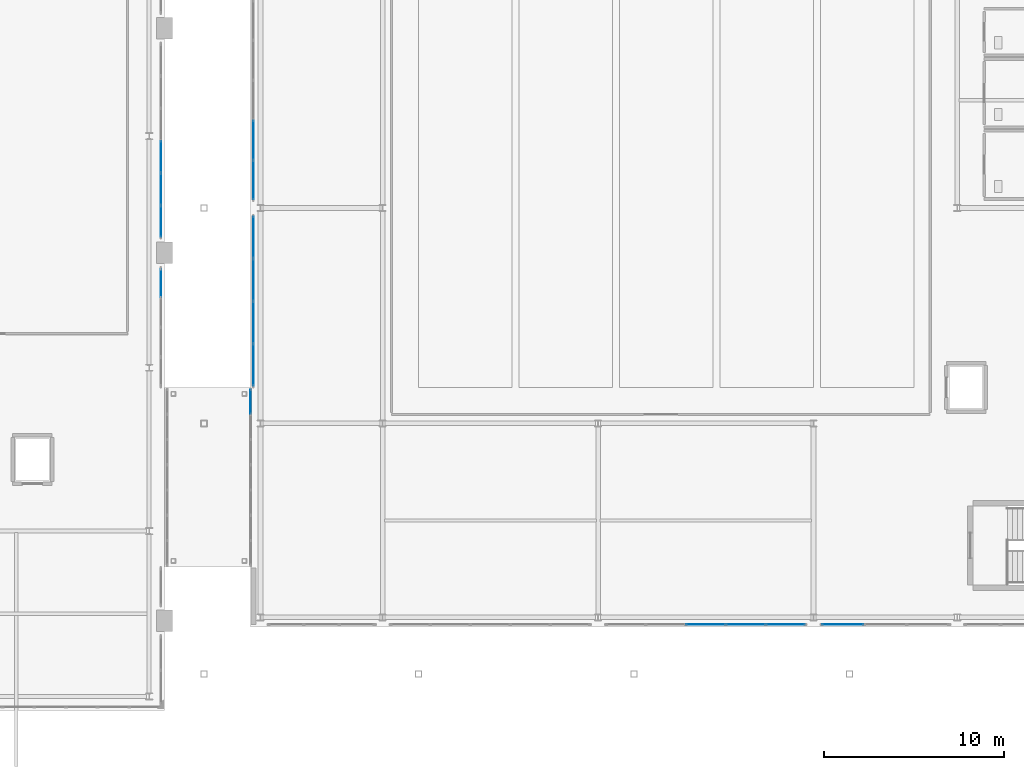
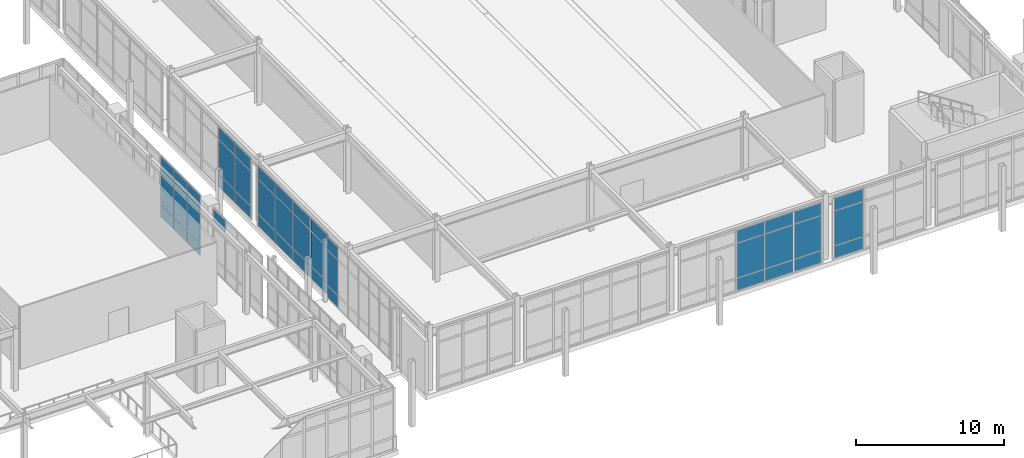
# One storey, part 111 of 159: 43 plates, 7 elements without a shape of their own.
"""IFC4 building model written with IfcOpenShell, lengths in metres."""

from ifc_helpers import new_model, si_unit, derived_unit, direction, frame, origin, origin_2d, place, context, subcontext, project, spatial, rectangle, extrude, material, layer, layer_set, type_object, element, aggregate, save


model = new_model("IFC4")

# Units and contexts
model_context = context("Model", 3, precision=1e-05, world=origin(), true_north=direction((0.0, 1.0)))
body_context = subcontext(model_context, "Body", "Model", "MODEL_VIEW")
ifc_project = project(units=[si_unit("LENGTHUNIT", "METRE"), si_unit("AREAUNIT", "SQUARE_METRE"), si_unit("VOLUMEUNIT", "CUBIC_METRE"), si_unit("PLANEANGLEUNIT", "RADIAN"), si_unit("MASSUNIT", "GRAM", prefix="KILO"), derived_unit("THERMALTRANSMITTANCEUNIT", [(si_unit("MASSUNIT", "GRAM", prefix="KILO"), 1), (si_unit("TIMEUNIT", "SECOND"), -3), (si_unit("THERMODYNAMICTEMPERATUREUNIT", "KELVIN"), -1)])], contexts=[model_context])

# Site, building, storey
site_placement = place(None, origin())
site = spatial("IfcSite", under=ifc_project, at=site_placement, CompositionType="ELEMENT")
building_placement = place(site_placement, origin())
building = spatial("IfcBuilding", under=site, at=building_placement, Name="Valcora Ridge Arena", CompositionType="ELEMENT")
storey_placement = place(building_placement, frame((0.0, 0.0, 6.0)))
storey = spatial("IfcBuildingStorey", under=building, at=storey_placement, Name="L01", CompositionType="ELEMENT", Elevation=6.0)

# Curtain wall, plates
ifc_material_1 = material(Name="Anodised dark bronze architectural aluminium 6063-T6", Category="aluminium")
ifc_layer_1 = layer(ifc_material_1, 0.14990234375, Name="Anodised dark bronze architectural aluminium 6063-T6")
ifc_layer_set_1 = layer_set([ifc_layer_1], Name="Anodised dark bronze architectural aluminium 6063-T6")
curtain_wall_type_1 = type_object("IfcCurtainWallType", Name="TY-CURTAINWALL-CW-BRG-098X51", PredefinedType="NOTDEFINED", material=ifc_layer_set_1)
curtain_wall_1_placement = place(storey_placement, origin())
curtain_wall_1 = element("IfcCurtainWall", 1, at=curtain_wall_1_placement, inside=storey, type_object=curtain_wall_type_1, Name="CW-BRG-098X51 CW-0353", PredefinedType="NOTDEFINED")
ifc_material_2 = material(Name="Low-iron solar-control double glazing SHGC 0.28", Category="glass")
ifc_layer_2 = layer(ifc_material_2, 0.028076171875, Name="Low-iron solar-control double glazing SHGC 0.28")
ifc_layer_set_2 = layer_set([ifc_layer_2], Name="Low-iron solar-control double glazing SHGC 0.28")
plate_type_1 = type_object("IfcPlateType", Name="TY-PLT-CWP-1331X0975", PredefinedType="CURTAIN_PANEL", material=ifc_layer_set_2)
plate_1_placement = place(storey_placement, frame((136.64990234375, 17.20458984375, 0.050048828125), z_axis=(0.0, 0.0, 1.0), x_axis=(0.0, 1.0, 0.0)))
plate_1 = element("IfcPlate", 2, at=plate_1_placement, type_object=plate_type_1, Name="CW-0353/P06-00", PredefinedType="CURTAIN_PANEL", context=body_context, shape_type="SweptSolid", body=[
    extrude(rectangle(XDim=1.3310546875, YDim=0.028076171875, at=origin_2d()), origin(), (0.0, 0.0, 1.0), 0.97509765625),
])
ifc_layer_3 = layer(ifc_material_2, 0.028076171875, Name="Low-iron solar-control double glazing SHGC 0.28")
ifc_layer_set_3 = layer_set([ifc_layer_3], Name="Low-iron solar-control double glazing SHGC 0.28")
plate_type_2 = type_object("IfcPlateType", Name="TY-PLT-CWP-1331X1025", PredefinedType="CURTAIN_PANEL", material=ifc_layer_set_3)
plate_2_placement = place(storey_placement, frame((136.64990234375, 17.20458984375, 4.005126953125), z_axis=(0.0, 0.0, 1.0), x_axis=(0.0, 1.0, 0.0)))
plate_2 = element("IfcPlate", 3, at=plate_2_placement, type_object=plate_type_2, Name="CW-0353/P06-02", PredefinedType="CURTAIN_PANEL", context=body_context, shape_type="SweptSolid", body=[
    extrude(rectangle(XDim=1.3310546875, YDim=0.028076171875, at=origin_2d()), origin(), (0.0, 0.0, 1.0), 1.02490234375),
])
ifc_layer_4 = layer(ifc_material_2, 0.028076171875, Name="Low-iron solar-control double glazing SHGC 0.28")
ifc_layer_set_4 = layer_set([ifc_layer_4], Name="Low-iron solar-control double glazing SHGC 0.28")
plate_type_3 = type_object("IfcPlateType", Name="TY-PLT-CWP-1331X2880", PredefinedType="CURTAIN_PANEL", material=ifc_layer_set_4)
plate_3_placement = place(storey_placement, frame((136.64990234375, 17.20458984375, 1.074951171875), z_axis=(0.0, 0.0, 1.0), x_axis=(0.0, 1.0, 0.0)))
plate_3 = element("IfcPlate", 4, at=plate_3_placement, type_object=plate_type_3, Name="CW-0353/P06-01", PredefinedType="CURTAIN_PANEL", context=body_context, shape_type="SweptSolid", body=[
    extrude(rectangle(XDim=1.3310546875, YDim=0.028076171875, at=origin_2d()), origin(), (0.0, 0.0, 1.0), 2.8798828125),
])
aggregate(curtain_wall_1, [plate_1, plate_3, plate_2])

# Curtain wall, plate
ifc_layer_5 = layer(ifc_material_1, 0.179931640625, Name="Anodised dark bronze architectural aluminium 6063-T6")
ifc_layer_set_5 = layer_set([ifc_layer_5], Name="Anodised dark bronze architectural aluminium 6063-T6")
curtain_wall_type_2 = type_object("IfcCurtainWallType", Name="TY-CURTAINWALL-CW-V3-LANCET-066X51", PredefinedType="NOTDEFINED", material=ifc_layer_set_5)
curtain_wall_2_placement = place(storey_placement, origin())
curtain_wall_2 = element("IfcCurtainWall", 5, at=curtain_wall_2_placement, inside=storey, type_object=curtain_wall_type_2, Name="CW-V3-LANCET-066X51 CW-0014", PredefinedType="NOTDEFINED")
ifc_layer_6 = layer(ifc_material_2, 0.031982421875, Name="Low-iron solar-control double glazing SHGC 0.28")
ifc_layer_set_6 = layer_set([ifc_layer_6], Name="Low-iron solar-control double glazing SHGC 0.28")
plate_type_4 = type_object("IfcPlateType", Name="TY-PLT-CWP-1562X1010", PredefinedType="CURTAIN_PANEL", material=ifc_layer_set_6)
plate_4_placement = place(storey_placement, frame((131.64990234375, 23.819091796875, 4.02978515625), z_axis=(0.0, 0.0, 1.0), x_axis=(0.0, 1.0, 0.0)))
plate_4 = element("IfcPlate", 6, at=plate_4_placement, type_object=plate_type_4, Name="CW-0014/P03-02", PredefinedType="CURTAIN_PANEL", context=body_context, shape_type="SweptSolid", body=[
    extrude(rectangle(XDim=1.56201171875, YDim=0.031982421875, at=origin_2d()), origin(), (0.0, 0.0, 1.0), 1.010009765625),
])
aggregate(curtain_wall_2, [plate_4])

# Curtain wall, plates
ifc_layer_7 = layer(ifc_material_1, 0.179931640625, Name="Anodised dark bronze architectural aluminium 6063-T6")
ifc_layer_set_7 = layer_set([ifc_layer_7], Name="Anodised dark bronze architectural aluminium 6063-T6")
curtain_wall_type_3 = type_object("IfcCurtainWallType", Name="TY-CURTAINWALL-CW-V3-LANCET-108X51", PredefinedType="NOTDEFINED", material=ifc_layer_set_7)
curtain_wall_3_placement = place(storey_placement, origin())
curtain_wall_3 = element("IfcCurtainWall", 7, at=curtain_wall_3_placement, inside=storey, type_object=curtain_wall_type_3, Name="CW-V3-LANCET-108X51 CW-0015", PredefinedType="NOTDEFINED")
ifc_layer_8 = layer(ifc_material_2, 0.031982421875, Name="Low-iron solar-control double glazing SHGC 0.28")
ifc_layer_set_8 = layer_set([ifc_layer_8], Name="Low-iron solar-control double glazing SHGC 0.28")
plate_type_5 = type_object("IfcPlateType", Name="TY-PLT-CWP-1713X0960", PredefinedType="CURTAIN_PANEL", material=ifc_layer_set_8)
plate_5_placement = place(storey_placement, frame((131.64990234375, 27.256591796875, 0.06005859375), z_axis=(0.0, 0.0, 1.0), x_axis=(0.0, 1.0, 0.0)))
plate_5 = element("IfcPlate", 8, at=plate_5_placement, type_object=plate_type_5, Name="CW-0015/P00-00", PredefinedType="CURTAIN_PANEL", context=body_context, shape_type="SweptSolid", body=[
    extrude(rectangle(XDim=1.712890625, YDim=0.031982421875, at=origin_2d()), origin(), (0.0, 0.0, 1.0), 0.9599609375),
])
ifc_layer_9 = layer(ifc_material_2, 0.031982421875, Name="Low-iron solar-control double glazing SHGC 0.28")
ifc_layer_set_9 = layer_set([ifc_layer_9], Name="Low-iron solar-control double glazing SHGC 0.28")
plate_type_6 = type_object("IfcPlateType", Name="TY-PLT-CWP-1713X1010", PredefinedType="CURTAIN_PANEL", material=ifc_layer_set_9)
plate_6_placement = place(storey_placement, frame((131.64990234375, 27.256591796875, 4.02978515625), z_axis=(0.0, 0.0, 1.0), x_axis=(0.0, 1.0, 0.0)))
plate_6 = element("IfcPlate", 9, at=plate_6_placement, type_object=plate_type_6, Name="CW-0015/P00-02", PredefinedType="CURTAIN_PANEL", context=body_context, shape_type="SweptSolid", body=[
    extrude(rectangle(XDim=1.712890625, YDim=0.031982421875, at=origin_2d()), origin(), (0.0, 0.0, 1.0), 1.010009765625),
])
ifc_layer_10 = layer(ifc_material_2, 0.031982421875, Name="Low-iron solar-control double glazing SHGC 0.28")
ifc_layer_set_10 = layer_set([ifc_layer_10], Name="Low-iron solar-control double glazing SHGC 0.28")
plate_type_7 = type_object("IfcPlateType", Name="TY-PLT-CWP-1713X2890", PredefinedType="CURTAIN_PANEL", material=ifc_layer_set_10)
plate_7_placement = place(storey_placement, frame((131.64990234375, 27.256591796875, 1.080078125), z_axis=(0.0, 0.0, 1.0), x_axis=(0.0, 1.0, 0.0)))
plate_7 = element("IfcPlate", 10, at=plate_7_placement, type_object=plate_type_7, Name="CW-0015/P00-01", PredefinedType="CURTAIN_PANEL", context=body_context, shape_type="SweptSolid", body=[
    extrude(rectangle(XDim=1.712890625, YDim=0.031982421875, at=origin_2d()), origin(), (0.0, 0.0, 1.0), 2.889892578125),
])
ifc_layer_11 = layer(ifc_material_2, 0.031982421875, Name="Low-iron solar-control double glazing SHGC 0.28")
ifc_layer_set_11 = layer_set([ifc_layer_11], Name="Low-iron solar-control double glazing SHGC 0.28")
plate_type_8 = type_object("IfcPlateType", Name="TY-PLT-CWP-1743X0960", PredefinedType="CURTAIN_PANEL", material=ifc_layer_set_11)
plate_8_placement = place(storey_placement, frame((131.64990234375, 30.848388671875, 0.06005859375), z_axis=(0.0, 0.0, 1.0), x_axis=(0.0, 1.0, 0.0)))
plate_8 = element("IfcPlate", 11, at=plate_8_placement, type_object=plate_type_8, Name="CW-0015/P02-00", PredefinedType="CURTAIN_PANEL", context=body_context, shape_type="SweptSolid", body=[
    extrude(rectangle(XDim=1.742919921875, YDim=0.031982421875, at=origin_2d()), origin(), (0.0, 0.0, 1.0), 0.9599609375),
])
ifc_layer_12 = layer(ifc_material_2, 0.031982421875, Name="Low-iron solar-control double glazing SHGC 0.28")
ifc_layer_set_12 = layer_set([ifc_layer_12], Name="Low-iron solar-control double glazing SHGC 0.28")
plate_type_9 = type_object("IfcPlateType", Name="TY-PLT-CWP-1743X1010", PredefinedType="CURTAIN_PANEL", material=ifc_layer_set_12)
plate_9_placement = place(storey_placement, frame((131.64990234375, 30.848388671875, 4.02978515625), z_axis=(0.0, 0.0, 1.0), x_axis=(0.0, 1.0, 0.0)))
plate_9 = element("IfcPlate", 12, at=plate_9_placement, type_object=plate_type_9, Name="CW-0015/P02-02", PredefinedType="CURTAIN_PANEL", context=body_context, shape_type="SweptSolid", body=[
    extrude(rectangle(XDim=1.742919921875, YDim=0.031982421875, at=origin_2d()), origin(), (0.0, 0.0, 1.0), 1.010009765625),
])
ifc_layer_13 = layer(ifc_material_2, 0.031982421875, Name="Low-iron solar-control double glazing SHGC 0.28")
ifc_layer_set_13 = layer_set([ifc_layer_13], Name="Low-iron solar-control double glazing SHGC 0.28")
plate_type_10 = type_object("IfcPlateType", Name="TY-PLT-CWP-1743X2890", PredefinedType="CURTAIN_PANEL", material=ifc_layer_set_13)
plate_10_placement = place(storey_placement, frame((131.64990234375, 30.848388671875, 1.080078125), z_axis=(0.0, 0.0, 1.0), x_axis=(0.0, 1.0, 0.0)))
plate_10 = element("IfcPlate", 13, at=plate_10_placement, type_object=plate_type_10, Name="CW-0015/P02-01", PredefinedType="CURTAIN_PANEL", context=body_context, shape_type="SweptSolid", body=[
    extrude(rectangle(XDim=1.742919921875, YDim=0.031982421875, at=origin_2d()), origin(), (0.0, 0.0, 1.0), 2.889892578125),
])
ifc_layer_14 = layer(ifc_material_2, 0.031982421875, Name="Low-iron solar-control double glazing SHGC 0.28")
ifc_layer_set_14 = layer_set([ifc_layer_14], Name="Low-iron solar-control double glazing SHGC 0.28")
plate_type_11 = type_object("IfcPlateType", Name="TY-PLT-CWP-1744X0960", PredefinedType="CURTAIN_PANEL", material=ifc_layer_set_14)
plate_11_placement = place(storey_placement, frame((131.64990234375, 29.044921875, 0.06005859375), z_axis=(0.0, 0.0, 1.0), x_axis=(0.0, 1.0, 0.0)))
plate_11 = element("IfcPlate", 14, at=plate_11_placement, type_object=plate_type_11, Name="CW-0015/P01-00", PredefinedType="CURTAIN_PANEL", context=body_context, shape_type="SweptSolid", body=[
    extrude(rectangle(XDim=1.743896484375, YDim=0.031982421875, at=origin_2d()), origin(), (0.0, 0.0, 1.0), 0.9599609375),
])
ifc_layer_15 = layer(ifc_material_2, 0.031982421875, Name="Low-iron solar-control double glazing SHGC 0.28")
ifc_layer_set_15 = layer_set([ifc_layer_15], Name="Low-iron solar-control double glazing SHGC 0.28")
plate_type_12 = type_object("IfcPlateType", Name="TY-PLT-CWP-1744X1010", PredefinedType="CURTAIN_PANEL", material=ifc_layer_set_15)
plate_12_placement = place(storey_placement, frame((131.64990234375, 29.044921875, 4.02978515625), z_axis=(0.0, 0.0, 1.0), x_axis=(0.0, 1.0, 0.0)))
plate_12 = element("IfcPlate", 15, at=plate_12_placement, type_object=plate_type_12, Name="CW-0015/P01-02", PredefinedType="CURTAIN_PANEL", context=body_context, shape_type="SweptSolid", body=[
    extrude(rectangle(XDim=1.743896484375, YDim=0.031982421875, at=origin_2d()), origin(), (0.0, 0.0, 1.0), 1.010009765625),
])
ifc_layer_16 = layer(ifc_material_2, 0.031982421875, Name="Low-iron solar-control double glazing SHGC 0.28")
ifc_layer_set_16 = layer_set([ifc_layer_16], Name="Low-iron solar-control double glazing SHGC 0.28")
plate_type_13 = type_object("IfcPlateType", Name="TY-PLT-CWP-1744X2890", PredefinedType="CURTAIN_PANEL", material=ifc_layer_set_16)
plate_13_placement = place(storey_placement, frame((131.64990234375, 29.044921875, 1.080078125), z_axis=(0.0, 0.0, 1.0), x_axis=(0.0, 1.0, 0.0)))
plate_13 = element("IfcPlate", 16, at=plate_13_placement, type_object=plate_type_13, Name="CW-0015/P01-01", PredefinedType="CURTAIN_PANEL", context=body_context, shape_type="SweptSolid", body=[
    extrude(rectangle(XDim=1.743896484375, YDim=0.031982421875, at=origin_2d()), origin(), (0.0, 0.0, 1.0), 2.889892578125),
])
aggregate(curtain_wall_3, [plate_5, plate_7, plate_6, plate_11, plate_13, plate_12, plate_8, plate_10, plate_9])

# Curtain wall, plate
ifc_layer_17 = layer(ifc_material_1, 0.179931640625, Name="Anodised dark bronze architectural aluminium 6063-T6")
ifc_layer_set_17 = layer_set([ifc_layer_17], Name="Anodised dark bronze architectural aluminium 6063-T6")
curtain_wall_type_4 = type_object("IfcCurtainWallType", Name="TY-CURTAINWALL-CW-V2-GLAZ-111X50", PredefinedType="NOTDEFINED", material=ifc_layer_set_17)
curtain_wall_4_placement = place(storey_placement, origin())
curtain_wall_4 = element("IfcCurtainWall", 17, at=curtain_wall_4_placement, inside=storey, type_object=curtain_wall_type_4, Name="CW-V2-GLAZ-111X50 CW-0040", PredefinedType="NOTDEFINED")
ifc_layer_18 = layer(ifc_material_2, 0.028076171875, Name="Low-iron solar-control double glazing SHGC 0.28")
ifc_layer_set_18 = layer_set([ifc_layer_18], Name="Low-iron solar-control double glazing SHGC 0.28")
plate_type_14 = type_object("IfcPlateType", Name="TY-PLT-CWP-2139X0975", PredefinedType="CURTAIN_PANEL", material=ifc_layer_set_18)
plate_14_placement = place(storey_placement, frame((136.800048828125, 29.555908203125, 0.050048828125), z_axis=(0.0, 0.0, 1.0), x_axis=(0.0, 1.0, 0.0)))
plate_14 = element("IfcPlate", 18, at=plate_14_placement, type_object=plate_type_14, Name="CW-0040/P00-00", PredefinedType="CURTAIN_PANEL", context=body_context, shape_type="SweptSolid", body=[
    extrude(rectangle(XDim=2.138916015625, YDim=0.028076171875, at=origin_2d()), origin(), (0.0, 0.0, 1.0), 0.97509765625),
])

curtain_wall_5_placement = place(storey_placement, origin())
curtain_wall_5 = element("IfcCurtainWall", 19, at=curtain_wall_5_placement, inside=storey, type_object=curtain_wall_type_4, Name="CW-V2-GLAZ-111X50 CW-0046", PredefinedType="NOTDEFINED")
plate_15_placement = place(storey_placement, frame((166.443603515625, 4.800048828125, 0.050048828125), z_axis=(0.0, 0.0, 1.0), x_axis=(1.0, 0.0, 0.0)))
plate_15 = element("IfcPlate", 20, at=plate_15_placement, type_object=plate_type_14, Name="CW-0046/P04-00", PredefinedType="CURTAIN_PANEL", context=body_context, shape_type="SweptSolid", body=[
    extrude(rectangle(XDim=2.138916015625, YDim=0.028076171875, at=origin_2d()), origin(), (0.0, 0.0, 1.0), 0.97509765625),
])

# Plate
ifc_layer_19 = layer(ifc_material_2, 0.028076171875, Name="Low-iron solar-control double glazing SHGC 0.28")
ifc_layer_set_19 = layer_set([ifc_layer_19], Name="Low-iron solar-control double glazing SHGC 0.28")
plate_type_15 = type_object("IfcPlateType", Name="TY-PLT-CWP-2139X1025", PredefinedType="CURTAIN_PANEL", material=ifc_layer_set_19)
plate_16_placement = place(storey_placement, frame((136.800048828125, 29.555908203125, 3.965087890625), z_axis=(0.0, 0.0, 1.0), x_axis=(0.0, 1.0, 0.0)))
plate_16 = element("IfcPlate", 21, at=plate_16_placement, type_object=plate_type_15, Name="CW-0040/P00-02", PredefinedType="CURTAIN_PANEL", context=body_context, shape_type="SweptSolid", body=[
    extrude(rectangle(XDim=2.138916015625, YDim=0.028076171875, at=origin_2d()), origin(), (0.0, 0.0, 1.0), 1.02490234375),
])

plate_17_placement = place(storey_placement, frame((166.443603515625, 4.800048828125, 3.965087890625), z_axis=(0.0, 0.0, 1.0), x_axis=(1.0, 0.0, 0.0)))
plate_17 = element("IfcPlate", 22, at=plate_17_placement, type_object=plate_type_15, Name="CW-0046/P04-02", PredefinedType="CURTAIN_PANEL", context=body_context, shape_type="SweptSolid", body=[
    extrude(rectangle(XDim=2.138916015625, YDim=0.028076171875, at=origin_2d()), origin(), (0.0, 0.0, 1.0), 1.02490234375),
])

ifc_layer_20 = layer(ifc_material_2, 0.028076171875, Name="Low-iron solar-control double glazing SHGC 0.28")
ifc_layer_set_20 = layer_set([ifc_layer_20], Name="Low-iron solar-control double glazing SHGC 0.28")
plate_type_16 = type_object("IfcPlateType", Name="TY-PLT-CWP-2139X2840", PredefinedType="CURTAIN_PANEL", material=ifc_layer_set_20)
plate_18_placement = place(storey_placement, frame((136.800048828125, 29.555908203125, 1.0751953125), z_axis=(0.0, 0.0, 1.0), x_axis=(0.0, 1.0, 0.0)))
plate_18 = element("IfcPlate", 23, at=plate_18_placement, type_object=plate_type_16, Name="CW-0040/P00-01", PredefinedType="CURTAIN_PANEL", context=body_context, shape_type="SweptSolid", body=[
    extrude(rectangle(XDim=2.138916015625, YDim=0.028076171875, at=origin_2d()), origin(), (0.0, 0.0, 1.0), 2.840087890625),
])

plate_19_placement = place(storey_placement, frame((166.443603515625, 4.800048828125, 1.0751953125), z_axis=(0.0, 0.0, 1.0), x_axis=(1.0, 0.0, 0.0)))
plate_19 = element("IfcPlate", 24, at=plate_19_placement, type_object=plate_type_16, Name="CW-0046/P04-01", PredefinedType="CURTAIN_PANEL", context=body_context, shape_type="SweptSolid", body=[
    extrude(rectangle(XDim=2.138916015625, YDim=0.028076171875, at=origin_2d()), origin(), (0.0, 0.0, 1.0), 2.840087890625),
])

ifc_layer_21 = layer(ifc_material_2, 0.028076171875, Name="Low-iron solar-control double glazing SHGC 0.28")
ifc_layer_set_21 = layer_set([ifc_layer_21], Name="Low-iron solar-control double glazing SHGC 0.28")
plate_type_17 = type_object("IfcPlateType", Name="TY-PLT-CWP-2169X0975", PredefinedType="CURTAIN_PANEL", material=ifc_layer_set_21)
plate_20_placement = place(storey_placement, frame((164.2294921875, 4.800048828125, 0.050048828125), z_axis=(0.0, 0.0, 1.0), x_axis=(1.0, 0.0, 0.0)))
plate_20 = element("IfcPlate", 25, at=plate_20_placement, type_object=plate_type_17, Name="CW-0046/P03-00", PredefinedType="CURTAIN_PANEL", context=body_context, shape_type="SweptSolid", body=[
    extrude(rectangle(XDim=2.1689453125, YDim=0.028076171875, at=origin_2d()), origin(), (0.0, 0.0, 1.0), 0.97509765625),
])

ifc_layer_22 = layer(ifc_material_2, 0.028076171875, Name="Low-iron solar-control double glazing SHGC 0.28")
ifc_layer_set_22 = layer_set([ifc_layer_22], Name="Low-iron solar-control double glazing SHGC 0.28")
plate_type_18 = type_object("IfcPlateType", Name="TY-PLT-CWP-2169X1025", PredefinedType="CURTAIN_PANEL", material=ifc_layer_set_22)
plate_21_placement = place(storey_placement, frame((164.2294921875, 4.800048828125, 3.965087890625), z_axis=(0.0, 0.0, 1.0), x_axis=(1.0, 0.0, 0.0)))
plate_21 = element("IfcPlate", 26, at=plate_21_placement, type_object=plate_type_18, Name="CW-0046/P03-02", PredefinedType="CURTAIN_PANEL", context=body_context, shape_type="SweptSolid", body=[
    extrude(rectangle(XDim=2.1689453125, YDim=0.028076171875, at=origin_2d()), origin(), (0.0, 0.0, 1.0), 1.02490234375),
])

ifc_layer_23 = layer(ifc_material_2, 0.028076171875, Name="Low-iron solar-control double glazing SHGC 0.28")
ifc_layer_set_23 = layer_set([ifc_layer_23], Name="Low-iron solar-control double glazing SHGC 0.28")
plate_type_19 = type_object("IfcPlateType", Name="TY-PLT-CWP-2169X2840", PredefinedType="CURTAIN_PANEL", material=ifc_layer_set_23)
plate_22_placement = place(storey_placement, frame((164.2294921875, 4.800048828125, 1.0751953125), z_axis=(0.0, 0.0, 1.0), x_axis=(1.0, 0.0, 0.0)))
plate_22 = element("IfcPlate", 27, at=plate_22_placement, type_object=plate_type_19, Name="CW-0046/P03-01", PredefinedType="CURTAIN_PANEL", context=body_context, shape_type="SweptSolid", body=[
    extrude(rectangle(XDim=2.1689453125, YDim=0.028076171875, at=origin_2d()), origin(), (0.0, 0.0, 1.0), 2.840087890625),
])

ifc_layer_24 = layer(ifc_material_2, 0.028076171875, Name="Low-iron solar-control double glazing SHGC 0.28")
ifc_layer_set_24 = layer_set([ifc_layer_24], Name="Low-iron solar-control double glazing SHGC 0.28")
plate_type_20 = type_object("IfcPlateType", Name="TY-PLT-CWP-2170X0975", PredefinedType="CURTAIN_PANEL", material=ifc_layer_set_24)
plate_23_placement = place(storey_placement, frame((136.800048828125, 31.7705078125, 0.050048828125), z_axis=(0.0, 0.0, 1.0), x_axis=(0.0, 1.0, 0.0)))
plate_23 = element("IfcPlate", 28, at=plate_23_placement, type_object=plate_type_20, Name="CW-0040/P01-00", PredefinedType="CURTAIN_PANEL", context=body_context, shape_type="SweptSolid", body=[
    extrude(rectangle(XDim=2.169921875, YDim=0.028076171875, at=origin_2d()), origin(), (0.0, 0.0, 1.0), 0.97509765625),
])

plate_24_placement = place(storey_placement, frame((162.0, 4.800048828125, 0.050048828125), z_axis=(0.0, 0.0, 1.0), x_axis=(1.0, 0.0, 0.0)))
plate_24 = element("IfcPlate", 29, at=plate_24_placement, type_object=plate_type_20, Name="CW-0046/P02-00", PredefinedType="CURTAIN_PANEL", context=body_context, shape_type="SweptSolid", body=[
    extrude(rectangle(XDim=2.169921875, YDim=0.028076171875, at=origin_2d()), origin(), (0.0, 0.0, 1.0), 0.97509765625),
])

ifc_layer_25 = layer(ifc_material_2, 0.028076171875, Name="Low-iron solar-control double glazing SHGC 0.28")
ifc_layer_set_25 = layer_set([ifc_layer_25], Name="Low-iron solar-control double glazing SHGC 0.28")
plate_type_21 = type_object("IfcPlateType", Name="TY-PLT-CWP-2170X1025", PredefinedType="CURTAIN_PANEL", material=ifc_layer_set_25)
plate_25_placement = place(storey_placement, frame((136.800048828125, 31.7705078125, 3.965087890625), z_axis=(0.0, 0.0, 1.0), x_axis=(0.0, 1.0, 0.0)))
plate_25 = element("IfcPlate", 30, at=plate_25_placement, type_object=plate_type_21, Name="CW-0040/P01-02", PredefinedType="CURTAIN_PANEL", context=body_context, shape_type="SweptSolid", body=[
    extrude(rectangle(XDim=2.169921875, YDim=0.028076171875, at=origin_2d()), origin(), (0.0, 0.0, 1.0), 1.02490234375),
])

plate_26_placement = place(storey_placement, frame((162.0, 4.800048828125, 3.965087890625), z_axis=(0.0, 0.0, 1.0), x_axis=(1.0, 0.0, 0.0)))
plate_26 = element("IfcPlate", 31, at=plate_26_placement, type_object=plate_type_21, Name="CW-0046/P02-02", PredefinedType="CURTAIN_PANEL", context=body_context, shape_type="SweptSolid", body=[
    extrude(rectangle(XDim=2.169921875, YDim=0.028076171875, at=origin_2d()), origin(), (0.0, 0.0, 1.0), 1.02490234375),
])

ifc_layer_26 = layer(ifc_material_2, 0.028076171875, Name="Low-iron solar-control double glazing SHGC 0.28")
ifc_layer_set_26 = layer_set([ifc_layer_26], Name="Low-iron solar-control double glazing SHGC 0.28")
plate_type_22 = type_object("IfcPlateType", Name="TY-PLT-CWP-2170X2840", PredefinedType="CURTAIN_PANEL", material=ifc_layer_set_26)
plate_27_placement = place(storey_placement, frame((136.800048828125, 31.7705078125, 1.0751953125), z_axis=(0.0, 0.0, 1.0), x_axis=(0.0, 1.0, 0.0)))
plate_27 = element("IfcPlate", 32, at=plate_27_placement, type_object=plate_type_22, Name="CW-0040/P01-01", PredefinedType="CURTAIN_PANEL", context=body_context, shape_type="SweptSolid", body=[
    extrude(rectangle(XDim=2.169921875, YDim=0.028076171875, at=origin_2d()), origin(), (0.0, 0.0, 1.0), 2.840087890625),
])

aggregate(curtain_wall_4, [plate_14, plate_18, plate_16, plate_23, plate_27, plate_25])

plate_28_placement = place(storey_placement, frame((162.0, 4.800048828125, 1.0751953125), z_axis=(0.0, 0.0, 1.0), x_axis=(1.0, 0.0, 0.0)))
plate_28 = element("IfcPlate", 33, at=plate_28_placement, type_object=plate_type_22, Name="CW-0046/P02-01", PredefinedType="CURTAIN_PANEL", context=body_context, shape_type="SweptSolid", body=[
    extrude(rectangle(XDim=2.169921875, YDim=0.028076171875, at=origin_2d()), origin(), (0.0, 0.0, 1.0), 2.840087890625),
])

aggregate(curtain_wall_5, [plate_24, plate_28, plate_26, plate_20, plate_22, plate_21, plate_15, plate_19, plate_17])

# Curtain wall, plates
ifc_layer_27 = layer(ifc_material_1, 0.179931640625, Name="Anodised dark bronze architectural aluminium 6063-T6")
ifc_layer_set_27 = layer_set([ifc_layer_27], Name="Anodised dark bronze architectural aluminium 6063-T6")
curtain_wall_type_5 = type_object("IfcCurtainWallType", Name="TY-CURTAINWALL-CW-V2-GLAZ-095X50", PredefinedType="NOTDEFINED", material=ifc_layer_set_27)
curtain_wall_6_placement = place(storey_placement, origin())
curtain_wall_6 = element("IfcCurtainWall", 34, at=curtain_wall_6_placement, inside=storey, type_object=curtain_wall_type_5, Name="CW-V2-GLAZ-095X50 CW-0039", PredefinedType="NOTDEFINED")
ifc_layer_28 = layer(ifc_material_2, 0.028076171875, Name="Low-iron solar-control double glazing SHGC 0.28")
ifc_layer_set_28 = layer_set([ifc_layer_28], Name="Low-iron solar-control double glazing SHGC 0.28")
plate_type_23 = type_object("IfcPlateType", Name="TY-PLT-CWP-2291X0975", PredefinedType="CURTAIN_PANEL", material=ifc_layer_set_28)
plate_29_placement = place(storey_placement, frame((136.800048828125, 19.255615234375, 0.050048828125), z_axis=(0.0, 0.0, 1.0), x_axis=(0.0, 1.0, 0.0)))
plate_29 = element("IfcPlate", 35, at=plate_29_placement, type_object=plate_type_23, Name="CW-0039/P00-00", PredefinedType="CURTAIN_PANEL", context=body_context, shape_type="SweptSolid", body=[
    extrude(rectangle(XDim=2.291015625, YDim=0.028076171875, at=origin_2d()), origin(), (0.0, 0.0, 1.0), 0.97509765625),
])
plate_30_placement = place(storey_placement, frame((136.800048828125, 26.368408203125, 0.050048828125), z_axis=(0.0, 0.0, 1.0), x_axis=(0.0, 1.0, 0.0)))
plate_30 = element("IfcPlate", 36, at=plate_30_placement, type_object=plate_type_23, Name="CW-0039/P03-00", PredefinedType="CURTAIN_PANEL", context=body_context, shape_type="SweptSolid", body=[
    extrude(rectangle(XDim=2.291015625, YDim=0.028076171875, at=origin_2d()), origin(), (0.0, 0.0, 1.0), 0.97509765625),
])
ifc_layer_29 = layer(ifc_material_2, 0.028076171875, Name="Low-iron solar-control double glazing SHGC 0.28")
ifc_layer_set_29 = layer_set([ifc_layer_29], Name="Low-iron solar-control double glazing SHGC 0.28")
plate_type_24 = type_object("IfcPlateType", Name="TY-PLT-CWP-2291X1025", PredefinedType="CURTAIN_PANEL", material=ifc_layer_set_29)
plate_31_placement = place(storey_placement, frame((136.800048828125, 19.255615234375, 3.965087890625), z_axis=(0.0, 0.0, 1.0), x_axis=(0.0, 1.0, 0.0)))
plate_31 = element("IfcPlate", 37, at=plate_31_placement, type_object=plate_type_24, Name="CW-0039/P00-02", PredefinedType="CURTAIN_PANEL", context=body_context, shape_type="SweptSolid", body=[
    extrude(rectangle(XDim=2.291015625, YDim=0.028076171875, at=origin_2d()), origin(), (0.0, 0.0, 1.0), 1.02490234375),
])
plate_32_placement = place(storey_placement, frame((136.800048828125, 26.368408203125, 3.965087890625), z_axis=(0.0, 0.0, 1.0), x_axis=(0.0, 1.0, 0.0)))
plate_32 = element("IfcPlate", 38, at=plate_32_placement, type_object=plate_type_24, Name="CW-0039/P03-02", PredefinedType="CURTAIN_PANEL", context=body_context, shape_type="SweptSolid", body=[
    extrude(rectangle(XDim=2.291015625, YDim=0.028076171875, at=origin_2d()), origin(), (0.0, 0.0, 1.0), 1.02490234375),
])
ifc_layer_30 = layer(ifc_material_2, 0.028076171875, Name="Low-iron solar-control double glazing SHGC 0.28")
ifc_layer_set_30 = layer_set([ifc_layer_30], Name="Low-iron solar-control double glazing SHGC 0.28")
plate_type_25 = type_object("IfcPlateType", Name="TY-PLT-CWP-2291X2840", PredefinedType="CURTAIN_PANEL", material=ifc_layer_set_30)
plate_33_placement = place(storey_placement, frame((136.800048828125, 19.255615234375, 1.0751953125), z_axis=(0.0, 0.0, 1.0), x_axis=(0.0, 1.0, 0.0)))
plate_33 = element("IfcPlate", 39, at=plate_33_placement, type_object=plate_type_25, Name="CW-0039/P00-01", PredefinedType="CURTAIN_PANEL", context=body_context, shape_type="SweptSolid", body=[
    extrude(rectangle(XDim=2.291015625, YDim=0.028076171875, at=origin_2d()), origin(), (0.0, 0.0, 1.0), 2.840087890625),
])
plate_34_placement = place(storey_placement, frame((136.800048828125, 26.368408203125, 1.0751953125), z_axis=(0.0, 0.0, 1.0), x_axis=(0.0, 1.0, 0.0)))
plate_34 = element("IfcPlate", 40, at=plate_34_placement, type_object=plate_type_25, Name="CW-0039/P03-01", PredefinedType="CURTAIN_PANEL", context=body_context, shape_type="SweptSolid", body=[
    extrude(rectangle(XDim=2.291015625, YDim=0.028076171875, at=origin_2d()), origin(), (0.0, 0.0, 1.0), 2.840087890625),
])

ifc_layer_31 = layer(ifc_material_1, 0.179931640625, Name="Anodised dark bronze architectural aluminium 6063-T6")
ifc_layer_set_31 = layer_set([ifc_layer_31], Name="Anodised dark bronze architectural aluminium 6063-T6")
curtain_wall_type_6 = type_object("IfcCurtainWallType", Name="TY-CURTAINWALL-CW-V2-GLAZ-071X50", PredefinedType="NOTDEFINED", material=ifc_layer_set_31)
curtain_wall_7_placement = place(storey_placement, origin())
curtain_wall_7 = element("IfcCurtainWall", 41, at=curtain_wall_7_placement, inside=storey, type_object=curtain_wall_type_6, Name="CW-V2-GLAZ-071X50 CW-0047", PredefinedType="NOTDEFINED")
ifc_layer_32 = layer(ifc_material_2, 0.028076171875, Name="Low-iron solar-control double glazing SHGC 0.28")
ifc_layer_set_32 = layer_set([ifc_layer_32], Name="Low-iron solar-control double glazing SHGC 0.28")
plate_type_26 = type_object("IfcPlateType", Name="TY-PLT-CWP-2292X0975", PredefinedType="CURTAIN_PANEL", material=ifc_layer_set_32)
plate_35_placement = place(storey_placement, frame((169.633056640625, 4.800048828125, 0.050048828125), z_axis=(0.0, 0.0, 1.0), x_axis=(1.0, 0.0, 0.0)))
plate_35 = element("IfcPlate", 42, at=plate_35_placement, type_object=plate_type_26, Name="CW-0047/P00-00", PredefinedType="CURTAIN_PANEL", context=body_context, shape_type="SweptSolid", body=[
    extrude(rectangle(XDim=2.2919921875, YDim=0.028076171875, at=origin_2d()), origin(), (0.0, 0.0, 1.0), 0.97509765625),
])
ifc_layer_33 = layer(ifc_material_2, 0.028076171875, Name="Low-iron solar-control double glazing SHGC 0.28")
ifc_layer_set_33 = layer_set([ifc_layer_33], Name="Low-iron solar-control double glazing SHGC 0.28")
plate_type_27 = type_object("IfcPlateType", Name="TY-PLT-CWP-2292X1025", PredefinedType="CURTAIN_PANEL", material=ifc_layer_set_33)
plate_36_placement = place(storey_placement, frame((169.633056640625, 4.800048828125, 3.965087890625), z_axis=(0.0, 0.0, 1.0), x_axis=(1.0, 0.0, 0.0)))
plate_36 = element("IfcPlate", 43, at=plate_36_placement, type_object=plate_type_27, Name="CW-0047/P00-02", PredefinedType="CURTAIN_PANEL", context=body_context, shape_type="SweptSolid", body=[
    extrude(rectangle(XDim=2.2919921875, YDim=0.028076171875, at=origin_2d()), origin(), (0.0, 0.0, 1.0), 1.02490234375),
])
ifc_layer_34 = layer(ifc_material_2, 0.028076171875, Name="Low-iron solar-control double glazing SHGC 0.28")
ifc_layer_set_34 = layer_set([ifc_layer_34], Name="Low-iron solar-control double glazing SHGC 0.28")
plate_type_28 = type_object("IfcPlateType", Name="TY-PLT-CWP-2292X2840", PredefinedType="CURTAIN_PANEL", material=ifc_layer_set_34)
plate_37_placement = place(storey_placement, frame((169.633056640625, 4.800048828125, 1.0751953125), z_axis=(0.0, 0.0, 1.0), x_axis=(1.0, 0.0, 0.0)))
plate_37 = element("IfcPlate", 44, at=plate_37_placement, type_object=plate_type_28, Name="CW-0047/P00-01", PredefinedType="CURTAIN_PANEL", context=body_context, shape_type="SweptSolid", body=[
    extrude(rectangle(XDim=2.2919921875, YDim=0.028076171875, at=origin_2d()), origin(), (0.0, 0.0, 1.0), 2.840087890625),
])
aggregate(curtain_wall_7, [plate_35, plate_37, plate_36])

# Plate
ifc_layer_35 = layer(ifc_material_2, 0.028076171875, Name="Low-iron solar-control double glazing SHGC 0.28")
ifc_layer_set_35 = layer_set([ifc_layer_35], Name="Low-iron solar-control double glazing SHGC 0.28")
plate_type_29 = type_object("IfcPlateType", Name="TY-PLT-CWP-2321X0975", PredefinedType="CURTAIN_PANEL", material=ifc_layer_set_35)
plate_38_placement = place(storey_placement, frame((136.800048828125, 21.62158203125, 0.050048828125), z_axis=(0.0, 0.0, 1.0), x_axis=(0.0, 1.0, 0.0)))
plate_38 = element("IfcPlate", 45, at=plate_38_placement, type_object=plate_type_29, Name="CW-0039/P01-00", PredefinedType="CURTAIN_PANEL", context=body_context, shape_type="SweptSolid", body=[
    extrude(rectangle(XDim=2.321044921875, YDim=0.028076171875, at=origin_2d()), origin(), (0.0, 0.0, 1.0), 0.97509765625),
])

plate_39_placement = place(storey_placement, frame((136.800048828125, 24.00244140625, 0.050048828125), z_axis=(0.0, 0.0, 1.0), x_axis=(0.0, 1.0, 0.0)))
plate_39 = element("IfcPlate", 46, at=plate_39_placement, type_object=plate_type_29, Name="CW-0039/P02-00", PredefinedType="CURTAIN_PANEL", context=body_context, shape_type="SweptSolid", body=[
    extrude(rectangle(XDim=2.321044921875, YDim=0.028076171875, at=origin_2d()), origin(), (0.0, 0.0, 1.0), 0.97509765625),
])

ifc_layer_36 = layer(ifc_material_2, 0.028076171875, Name="Low-iron solar-control double glazing SHGC 0.28")
ifc_layer_set_36 = layer_set([ifc_layer_36], Name="Low-iron solar-control double glazing SHGC 0.28")
plate_type_30 = type_object("IfcPlateType", Name="TY-PLT-CWP-2321X1025", PredefinedType="CURTAIN_PANEL", material=ifc_layer_set_36)
plate_40_placement = place(storey_placement, frame((136.800048828125, 21.62158203125, 3.965087890625), z_axis=(0.0, 0.0, 1.0), x_axis=(0.0, 1.0, 0.0)))
plate_40 = element("IfcPlate", 47, at=plate_40_placement, type_object=plate_type_30, Name="CW-0039/P01-02", PredefinedType="CURTAIN_PANEL", context=body_context, shape_type="SweptSolid", body=[
    extrude(rectangle(XDim=2.321044921875, YDim=0.028076171875, at=origin_2d()), origin(), (0.0, 0.0, 1.0), 1.02490234375),
])

plate_41_placement = place(storey_placement, frame((136.800048828125, 24.00244140625, 3.965087890625), z_axis=(0.0, 0.0, 1.0), x_axis=(0.0, 1.0, 0.0)))
plate_41 = element("IfcPlate", 48, at=plate_41_placement, type_object=plate_type_30, Name="CW-0039/P02-02", PredefinedType="CURTAIN_PANEL", context=body_context, shape_type="SweptSolid", body=[
    extrude(rectangle(XDim=2.321044921875, YDim=0.028076171875, at=origin_2d()), origin(), (0.0, 0.0, 1.0), 1.02490234375),
])

ifc_layer_37 = layer(ifc_material_2, 0.028076171875, Name="Low-iron solar-control double glazing SHGC 0.28")
ifc_layer_set_37 = layer_set([ifc_layer_37], Name="Low-iron solar-control double glazing SHGC 0.28")
plate_type_31 = type_object("IfcPlateType", Name="TY-PLT-CWP-2321X2840", PredefinedType="CURTAIN_PANEL", material=ifc_layer_set_37)
plate_42_placement = place(storey_placement, frame((136.800048828125, 21.62158203125, 1.0751953125), z_axis=(0.0, 0.0, 1.0), x_axis=(0.0, 1.0, 0.0)))
plate_42 = element("IfcPlate", 49, at=plate_42_placement, type_object=plate_type_31, Name="CW-0039/P01-01", PredefinedType="CURTAIN_PANEL", context=body_context, shape_type="SweptSolid", body=[
    extrude(rectangle(XDim=2.321044921875, YDim=0.028076171875, at=origin_2d()), origin(), (0.0, 0.0, 1.0), 2.840087890625),
])

plate_43_placement = place(storey_placement, frame((136.800048828125, 24.00244140625, 1.0751953125), z_axis=(0.0, 0.0, 1.0), x_axis=(0.0, 1.0, 0.0)))
plate_43 = element("IfcPlate", 50, at=plate_43_placement, type_object=plate_type_31, Name="CW-0039/P02-01", PredefinedType="CURTAIN_PANEL", context=body_context, shape_type="SweptSolid", body=[
    extrude(rectangle(XDim=2.321044921875, YDim=0.028076171875, at=origin_2d()), origin(), (0.0, 0.0, 1.0), 2.840087890625),
])

aggregate(curtain_wall_6, [plate_29, plate_33, plate_31, plate_38, plate_42, plate_40, plate_39, plate_43, plate_41, plate_30, plate_34, plate_32])

save(model, "model.ifc")
